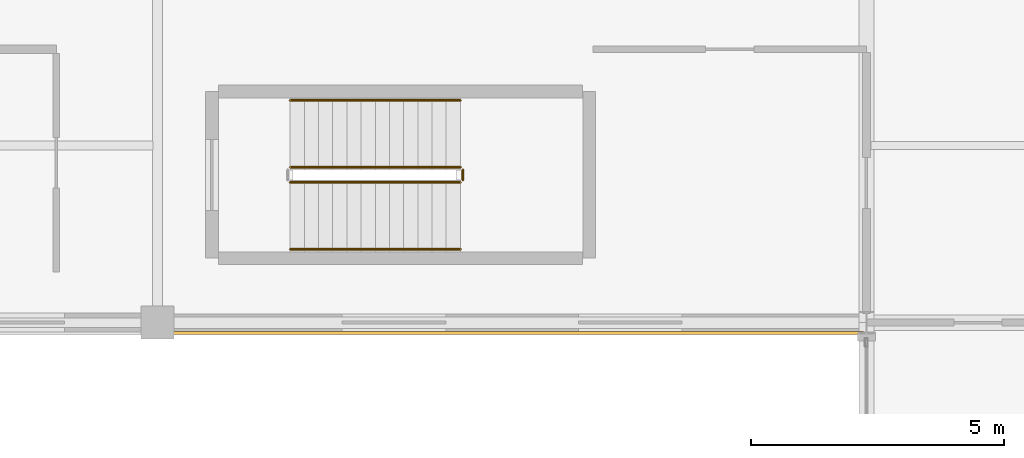
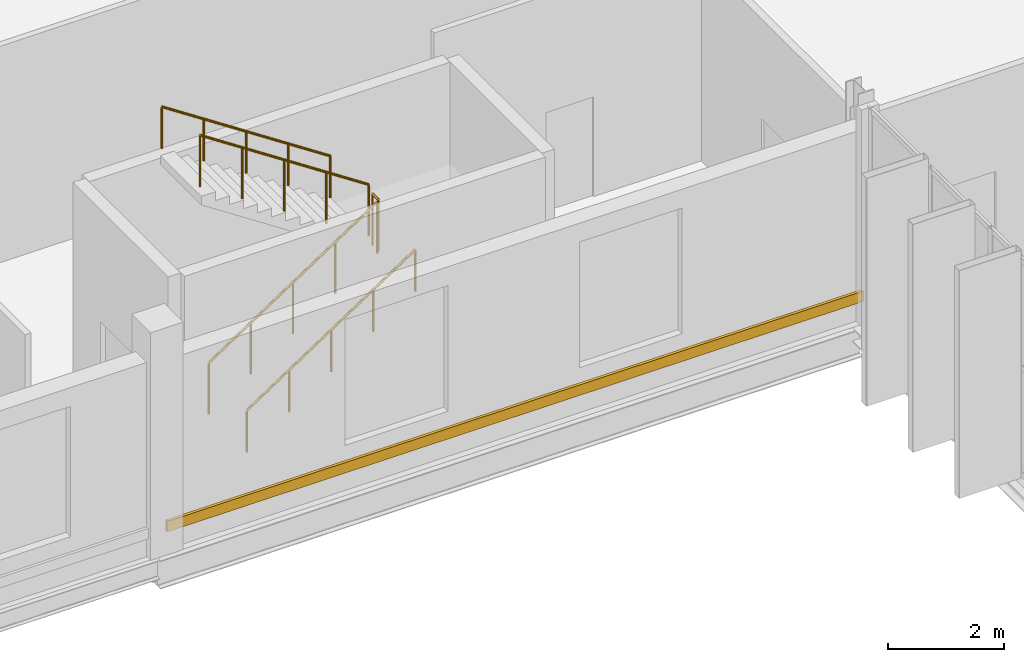
# One storey, part 108 of 120: 5 railings, 1 covering.
"""IFC4 building model written with IfcOpenShell, lengths in metres."""

import ifcopenshell
import ifcopenshell.guid

model = None  # the IFC model being written
_history = None  # IfcOwnerHistory: only IFC2X3 demands one
_inside = {}  # id of a spatial element -> (the spatial element, [elements in it])
_under = {}  # id of a project, library or spatial element -> (it, [spatial elements below it])
_declared = {}  # id of a project -> (the project, [libraries it declares])
_typed = {}  # id of a type object -> (the type object, [elements of that type])
_made_of = {}  # id of a material, layer set ... -> (it, [elements and type objects made of it])


def new_model(schema):
    """Start an empty IFC model of exactly this schema.

    Asked for "IFC4X3", IfcOpenShell would pick the latest addendum, in which some entities
    have other attributes; the version numbers below select the first issue.
    IFC2X3 requires an IfcOwnerHistory on every rooted entity: one is made here for all.
    """
    global model, _history
    if schema == "IFC4X3":
        model = ifcopenshell.file(schema_version=(4, 3, 0, 0))
    else:
        model = ifcopenshell.file(schema=schema)
    _inside.clear()
    _under.clear()
    _declared.clear()
    _typed.clear()
    _made_of.clear()
    _history = None
    if model.schema == "IFC2X3":
        org = make("IfcOrganization", Name="unknown")
        user = make(
            "IfcPersonAndOrganization",
            ThePerson=make("IfcPerson", FamilyName="unknown"),
            TheOrganization=org,
        )
        app = make(
            "IfcApplication",
            ApplicationDeveloper=org,
            Version="unknown",
            ApplicationFullName="unknown",
            ApplicationIdentifier="unknown",
        )
        _history = make(
            "IfcOwnerHistory",
            OwningUser=user,
            OwningApplication=app,
            ChangeAction="ADDED",
            CreationDate=0,
        )
    return model


def make(cls, **values):
    """One entity of the class cls with the attributes given. An attribute that is None is left unset."""
    return model.create_entity(
        cls, **{name: value for name, value in values.items() if value is not None}
    )


def rooted(cls, **values):
    """An entity with a GlobalId (a new one), such as an element, a storey or a relation."""
    return make(cls, GlobalId=ifcopenshell.guid.new(), OwnerHistory=_history, **values)


def si_unit(unit_type, name, prefix=None):
    """IfcSIUnit, for example si_unit("LENGTHUNIT", "METRE", prefix="MILLI")."""
    return make("IfcSIUnit", UnitType=unit_type, Prefix=prefix, Name=name)


def assignment(units):
    """IfcUnitAssignment: the units of a project."""
    return None if units is None else make("IfcUnitAssignment", Units=units)


def point(xyz):
    """IfcCartesianPoint."""
    return None if xyz is None else make("IfcCartesianPoint", Coordinates=xyz)


def direction(xyz):
    """IfcDirection."""
    return None if xyz is None else make("IfcDirection", DirectionRatios=xyz)


def frame(location, z_axis=None, x_axis=None):
    """IfcAxis2Placement3D, a coordinate frame: its origin and axes. An axis left out is left unset."""
    return make(
        "IfcAxis2Placement3D",
        Location=point(location),
        Axis=direction(z_axis),
        RefDirection=direction(x_axis),
    )


def frame_2d(location, x_axis=None):
    """IfcAxis2Placement2D, a coordinate frame in the plane: its origin and x axis."""
    return make(
        "IfcAxis2Placement2D", Location=point(location), RefDirection=direction(x_axis)
    )


def origin():
    """The frame at (0, 0, 0) with its axes left unset."""
    return frame((0.0, 0.0, 0.0))


def origin_2d():
    """The frame at (0, 0) in the plane with its x axis left unset."""
    return frame_2d((0.0, 0.0))


def place(relative_to, where):
    """IfcLocalPlacement: puts the frame where relative to a parent placement (None: the world)."""
    return make(
        "IfcLocalPlacement", PlacementRelTo=relative_to, RelativePlacement=where
    )


def context(
    kind, dimensions, precision=None, world=None, true_north=None, identifier=None
):
    """IfcGeometricRepresentationContext, for example the 3D "Model" context."""
    return make(
        "IfcGeometricRepresentationContext",
        ContextIdentifier=identifier,
        ContextType=kind,
        CoordinateSpaceDimension=dimensions,
        Precision=precision,
        WorldCoordinateSystem=world,
        TrueNorth=true_north,
    )


def subcontext(parent, identifier, kind, view, scale=None):
    """IfcGeometricRepresentationSubContext, for example "Body" below "Model"."""
    return make(
        "IfcGeometricRepresentationSubContext",
        ContextIdentifier=identifier,
        ContextType=kind,
        ParentContext=parent,
        TargetScale=scale,
        TargetView=view,
    )


def project(units=None, contexts=None):
    """IfcProject with its units and contexts."""
    return rooted(
        "IfcProject",
        Name="project",
        RepresentationContexts=contexts,
        UnitsInContext=assignment(units),
    )


def spatial(cls, under=None, at=None, **own):
    """A site, building, storey or space (cls), placed at a placement, below another one or the project."""
    s = rooted(cls, ObjectPlacement=at, **own)
    if under is not None:
        _under.setdefault(under.id(), (under, []))[1].append(s)
    return s


def profile(cls, at=None, kind="AREA", **sizes):
    """A parametric profile (cls). Its sizes go by their IFC names, for example OverallWidth=200.0."""
    return make(cls, ProfileType=kind, Position=at, **sizes)


def rectangle(**sizes):
    """IfcRectangleProfileDef."""
    return profile("IfcRectangleProfileDef", **sizes)


def circle(**sizes):
    """IfcCircleProfileDef."""
    return profile("IfcCircleProfileDef", **sizes)


def extrude(swept, where, along, depth):
    """IfcExtrudedAreaSolid: the profile swept, set in the frame where, extruded along a direction by depth."""
    return make(
        "IfcExtrudedAreaSolid",
        SweptArea=swept,
        Position=where,
        ExtrudedDirection=direction(along),
        Depth=depth,
    )


def shape(context_of_items, identifier, shape_type, items):
    """IfcShapeRepresentation: the items that make up one representation, for example the "Body"."""
    return make(
        "IfcShapeRepresentation",
        ContextOfItems=context_of_items,
        RepresentationIdentifier=identifier,
        RepresentationType=shape_type,
        Items=items,
    )


def material(Name=None, Category=None):
    """IfcMaterial."""
    return make("IfcMaterial", Name=Name, Category=Category)


def layer(
    of_material, thickness, ventilated=None, Name=None, Category=None, Priority=None
):
    """IfcMaterialLayer: one layer of a wall or slab, of a material (None: an air gap)."""
    return make(
        "IfcMaterialLayer",
        Material=of_material,
        LayerThickness=thickness,
        IsVentilated=ventilated,
        Name=Name,
        Category=Category,
        Priority=Priority,
    )


def layer_set(layers, Name=None):
    """IfcMaterialLayerSet."""
    return make("IfcMaterialLayerSet", MaterialLayers=layers, LayerSetName=Name)


def made_of(thing, what):
    """Note that an element or type object is made of a material, layer set ...; save() writes the relation."""
    if what is not None:
        _made_of.setdefault(what.id(), (what, []))[1].append(thing)
    return thing


def type_object(cls, material=None, **own):
    """A type object (cls), such as IfcWallType, which elements share."""
    return made_of(rooted(cls, **own), material)


def element(
    cls,
    number,
    at=None,
    inside=None,
    cuts=None,
    type_object=None,
    material=None,
    context=None,
    identifier="Body",
    shape_type=None,
    held_by="IfcProductDefinitionShape",
    body=None,
    shapes=None,
    **own,
):
    """One element of the class cls, such as IfcWall. Its Tag is "e" and its number.

    at: its placement. inside: the storey or other place that contains it. cuts: it is an
    opening in that element (IfcRelVoidsElement). A single representation is given by context,
    identifier, shape_type and body (its items); several are given by shapes. held_by: the class
    of the entity that holds the representations. save() writes the other relations.
    """
    e = rooted(cls, Tag="e%d" % number, ObjectPlacement=at, **own)
    if body is not None:
        shapes = [shape(context, identifier, shape_type, body)]
    if shapes is not None:
        e.Representation = make(held_by, Representations=shapes)
    if inside is not None:
        _inside.setdefault(inside.id(), (inside, []))[1].append(e)
    if cuts is not None:
        rooted(
            "IfcRelVoidsElement", RelatingBuildingElement=cuts, RelatedOpeningElement=e
        )
    if type_object is not None:
        _typed.setdefault(type_object.id(), (type_object, []))[1].append(e)
    return made_of(e, material)


def aggregate(whole, parts):
    """IfcRelAggregates: a whole, such as a stair, and the parts it consists of."""
    return rooted("IfcRelAggregates", RelatingObject=whole, RelatedObjects=parts)


def save(model, path):
    """Write the relations noted so far, then the file.

    IfcRelAggregates (storeys below a building ...), IfcRelContainedInSpatialStructure (elements
    in a storey), IfcRelDefinesByType, IfcRelAssociatesMaterial and IfcRelDeclares: one each for
    every whole, place, type object, material and project.
    """
    for whole, parts in _under.values():
        aggregate(whole, parts)
    for where, things in _inside.values():
        rooted(
            "IfcRelContainedInSpatialStructure",
            RelatedElements=things,
            RelatingStructure=where,
        )
    for kind, things in _typed.values():
        rooted("IfcRelDefinesByType", RelatedObjects=things, RelatingType=kind)
    for what, things in _made_of.values():
        rooted("IfcRelAssociatesMaterial", RelatedObjects=things, RelatingMaterial=what)
    for by, libraries in _declared.values():
        rooted("IfcRelDeclares", RelatingContext=by, RelatedDefinitions=libraries)
    model.write(path)


model = new_model("IFC4")

# Units and contexts
model_context = context("Model", 3, precision=1e-05, world=origin(), true_north=direction((0.0, 1.0)))
body_context = subcontext(model_context, "Body", "Model", "MODEL_VIEW")
ifc_project = project(units=[si_unit("LENGTHUNIT", "METRE"), si_unit("AREAUNIT", "SQUARE_METRE"), si_unit("VOLUMEUNIT", "CUBIC_METRE"), si_unit("PLANEANGLEUNIT", "RADIAN"), si_unit("MASSUNIT", "GRAM", prefix="KILO")], contexts=[model_context])

# Site, building, storey
site_placement = place(None, origin())
site = spatial("IfcSite", under=ifc_project, at=site_placement, CompositionType="ELEMENT")
building_placement = place(site_placement, origin())
building = spatial("IfcBuilding", under=site, at=building_placement, Name="Vekula Escarpment Museum", CompositionType="ELEMENT")
storey_placement = place(building_placement, frame((0.0, 0.0, 13.199951171875)))
storey = spatial("IfcBuildingStorey", under=building, at=storey_placement, Name="L03", CompositionType="ELEMENT", Elevation=13.199951171875)

# Covering
ifc_material_1 = material(Name="Polychrome limestone almasik string-course band", Category="masonry")
ifc_layer = layer(ifc_material_1, 0.06005859375)
ifc_layer_set = layer_set([ifc_layer], Name="Polychrome limestone almasik string-course band")
covering_type = type_object("IfcCoveringType", Name="COV-ALM-BAND", PredefinedType="CLADDING", material=ifc_layer_set)
covering_placement = place(storey_placement, frame((63.0, 52.39892578125, 0.41015625), z_axis=(0.0, 0.0, 1.0), x_axis=(1.0, 0.0, 0.0)))
element("IfcCovering", 1, at=covering_placement, inside=storey, type_object=covering_type, Name="Almasik Stone String Course L03-0508", PredefinedType="CLADDING", context=body_context, shape_type="SweptSolid", body=[
    extrude(rectangle(XDim=13.8798828125, YDim=0.06005859375, at=origin_2d()), origin(), (0.0, 0.0, 1.0), 0.219970703125),
])

# Railings
ifc_material_2 = material(Name="Painted Steel S355 stair guard", Category="steel")
railing_type_1 = type_object("IfcRailingType", Name="RL-STAIR-GUARD", PredefinedType="GUARDRAIL", material=ifc_material_2)
railing_1_placement = place(storey_placement, frame((58.6201171875, 55.3701171875, 0.1845703125)))
element("IfcRailing", 2, at=railing_1_placement, inside=storey, type_object=railing_type_1, Name="L03 ST-01 stair guard 1", PredefinedType="GUARDRAIL", context=body_context, shape_type="SweptSolid", body=[
    extrude(circle(Radius=0.02392578125, at=origin_2d()), frame((0.0, 0.0, 1.076171875), z_axis=(0.83483021737, 0.0, 0.550507500554), x_axis=(0.0, 1.0, 0.0)), (0.0, 0.0, 1.0), 4.024658203125),
    extrude(circle(Radius=0.02099609375, at=origin_2d()), origin(), (0.0, 0.0, 1.0), 1.052001953125),
    extrude(circle(Radius=0.02099609375, at=origin_2d()), frame((0.83984375, 0.0, 0.553955078125)), (0.0, 0.0, 1.0), 1.052001953125),
    extrude(circle(Radius=0.02099609375, at=origin_2d()), frame((1.679931640625, 0.0, 1.10791015625)), (0.0, 0.0, 1.0), 1.052001953125),
    extrude(circle(Radius=0.02099609375, at=origin_2d()), frame((2.52001953125, 0.0, 1.66162109375)), (0.0, 0.0, 1.0), 1.052001953125),
    extrude(circle(Radius=0.02099609375, at=origin_2d()), frame((3.35986328125, 0.0, 2.215576171875)), (0.0, 0.0, 1.0), 1.052001953125),
])
railing_2_placement = place(storey_placement, frame((62.030029296875, 55.419921875, 2.400146484375)))
element("IfcRailing", 3, at=railing_2_placement, inside=storey, type_object=railing_type_1, Name="L03 ST-01 stair guard 2", PredefinedType="GUARDRAIL", context=body_context, shape_type="SweptSolid", body=[
    extrude(circle(Radius=0.02392578125, at=origin_2d()), frame((0.0, 0.0, 1.076171875), z_axis=(0.0, 1.0, 0.0), x_axis=(-1.0, 0.0, 0.0)), (0.0, 0.0, 1.0), 0.2001953125),
    extrude(circle(Radius=0.02099609375, at=origin_2d()), origin(), (0.0, 0.0, 1.0), 1.052001953125),
    extrude(circle(Radius=0.02099609375, at=origin_2d()), frame((0.0, 0.2001953125, 0.0)), (0.0, 0.0, 1.0), 1.052001953125),
])
railing_3_placement = place(storey_placement, frame((61.97998046875, 55.669921875, 2.584716796875)))
element("IfcRailing", 4, at=railing_3_placement, inside=storey, type_object=railing_type_1, Name="L03 ST-01 stair guard 3", PredefinedType="GUARDRAIL", context=body_context, shape_type="SweptSolid", body=[
    extrude(circle(Radius=0.02392578125, at=origin_2d()), frame((0.0, 0.0, 1.076171875), z_axis=(-0.834858096282, 0.0, 0.550465220583), x_axis=(0.0, -1.0, 0.0)), (0.0, 0.0, 1.0), 4.0244140625),
    extrude(circle(Radius=0.02099609375, at=origin_2d()), origin(), (0.0, 0.0, 1.0), 1.052001953125),
    extrude(circle(Radius=0.02099609375, at=origin_2d()), frame((-0.83984375, 0.0, 0.5537109375)), (0.0, 0.0, 1.0), 1.052001953125),
    extrude(circle(Radius=0.02099609375, at=origin_2d()), frame((-1.679931640625, 0.0, 1.107666015625)), (0.0, 0.0, 1.0), 1.052001953125),
    extrude(circle(Radius=0.02099609375, at=origin_2d()), frame((-2.52001953125, 0.0, 1.66162109375)), (0.0, 0.0, 1.0), 1.052001953125),
    extrude(circle(Radius=0.02099609375, at=origin_2d()), frame((-3.35986328125, 0.0, 2.21533203125)), (0.0, 0.0, 1.0), 1.052001953125),
])
ifc_material_3 = material(Name="Brushed stainless steel handrail", Category="steel")
railing_type_2 = type_object("IfcRailingType", Name="RL-STAIR-HAND", PredefinedType="HANDRAIL", material=ifc_material_3)
railing_4_placement = place(storey_placement, frame((58.6201171875, 54.050048828125, 0.1845703125)))
element("IfcRailing", 5, at=railing_4_placement, inside=storey, type_object=railing_type_2, Name="L03 ST-01 stair handrail 1", PredefinedType="HANDRAIL", context=body_context, shape_type="SweptSolid", body=[
    extrude(circle(Radius=0.02392578125, at=origin_2d()), frame((0.0, 0.0, 0.8759765625), z_axis=(0.83483021737, 0.0, 0.550507500554), x_axis=(0.0, 1.0, 0.0)), (0.0, 0.0, 1.0), 4.024658203125),
    extrude(circle(Radius=0.02099609375, at=origin_2d()), origin(), (0.0, 0.0, 1.0), 0.851806640625),
    extrude(circle(Radius=0.02099609375, at=origin_2d()), frame((0.83984375, 0.0, 0.553955078125)), (0.0, 0.0, 1.0), 0.851806640625),
    extrude(circle(Radius=0.02099609375, at=origin_2d()), frame((1.679931640625, 0.0, 1.10791015625)), (0.0, 0.0, 1.0), 0.851806640625),
    extrude(circle(Radius=0.02099609375, at=origin_2d()), frame((2.52001953125, 0.0, 1.66162109375)), (0.0, 0.0, 1.0), 0.851806640625),
    extrude(circle(Radius=0.02099609375, at=origin_2d()), frame((3.35986328125, 0.0, 2.215576171875)), (0.0, 0.0, 1.0), 0.851806640625),
])
railing_5_placement = place(storey_placement, frame((61.97998046875, 56.989990234375, 2.584716796875)))
element("IfcRailing", 6, at=railing_5_placement, inside=storey, type_object=railing_type_2, Name="L03 ST-01 stair handrail 2", PredefinedType="HANDRAIL", context=body_context, shape_type="SweptSolid", body=[
    extrude(circle(Radius=0.02392578125, at=origin_2d()), frame((0.0, 0.0, 0.8759765625), z_axis=(-0.834858096282, 0.0, 0.550465220583), x_axis=(0.0, -1.0, 0.0)), (0.0, 0.0, 1.0), 4.0244140625),
    extrude(circle(Radius=0.02099609375, at=origin_2d()), origin(), (0.0, 0.0, 1.0), 0.851806640625),
    extrude(circle(Radius=0.02099609375, at=origin_2d()), frame((-0.83984375, 0.0, 0.5537109375)), (0.0, 0.0, 1.0), 0.851806640625),
    extrude(circle(Radius=0.02099609375, at=origin_2d()), frame((-1.679931640625, 0.0, 1.107666015625)), (0.0, 0.0, 1.0), 0.851806640625),
    extrude(circle(Radius=0.02099609375, at=origin_2d()), frame((-2.52001953125, 0.0, 1.66162109375)), (0.0, 0.0, 1.0), 0.851806640625),
    extrude(circle(Radius=0.02099609375, at=origin_2d()), frame((-3.35986328125, 0.0, 2.21533203125)), (0.0, 0.0, 1.0), 0.851806640625),
])

save(model, "model.ifc")
